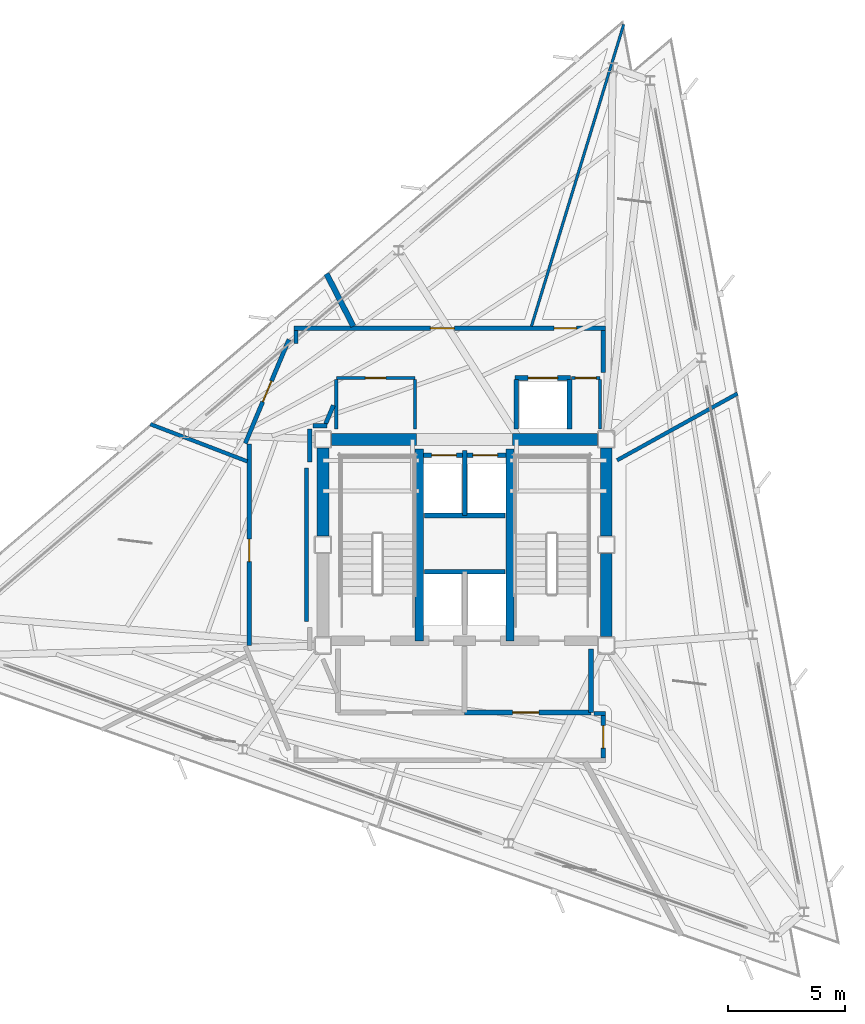
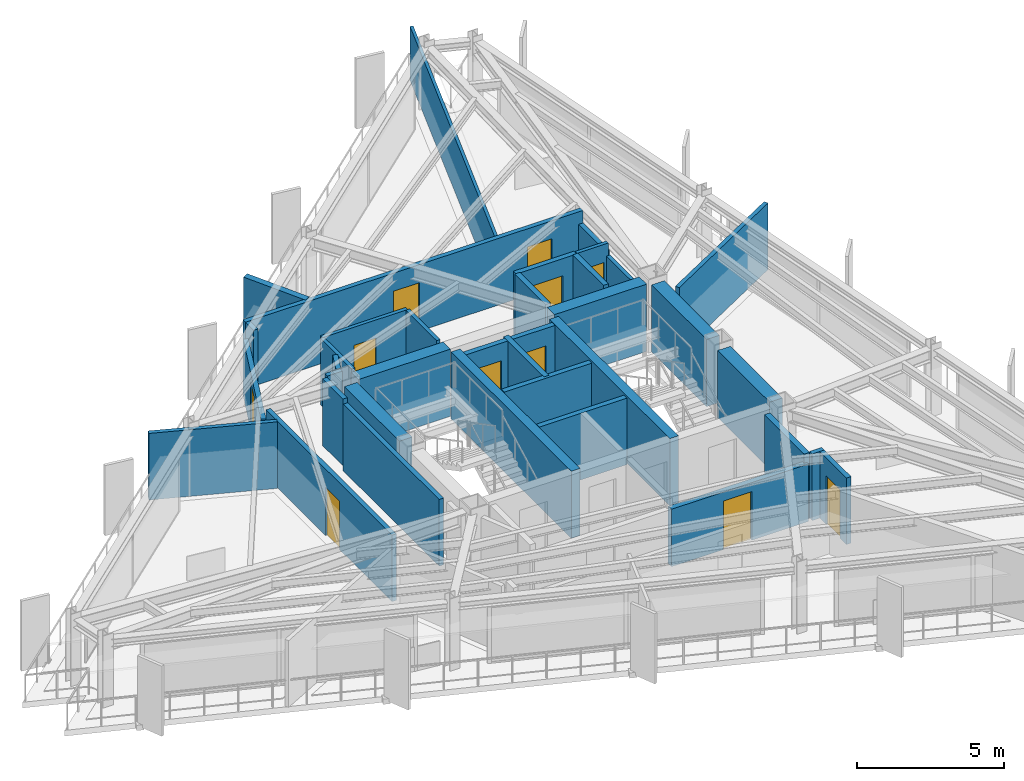
# One storey, part 9 of 14: 36 walls, 11 doors, 11 openings.
"""IFC4 building model written with IfcOpenShell, lengths in metres."""

from ifc_helpers import new_model, si_unit, direction, frame, frame_2d, origin, place, context, subcontext, project, spatial, rectangle, extrude, material, layer, layer_set, type_object, element, fill, save


model = new_model("IFC4")

# Units and contexts
model_context = context("Model", 3, precision=1e-05, world=origin(), true_north=direction((0.0, 1.0)))
body_context = subcontext(model_context, "Body", "Model", "MODEL_VIEW")
ifc_project = project(units=[si_unit("LENGTHUNIT", "METRE"), si_unit("AREAUNIT", "SQUARE_METRE"), si_unit("VOLUMEUNIT", "CUBIC_METRE"), si_unit("PLANEANGLEUNIT", "RADIAN"), si_unit("MASSUNIT", "GRAM", prefix="KILO")], contexts=[model_context])

# Site, building, storey
site_placement = place(None, origin())
site = spatial("IfcSite", under=ifc_project, at=site_placement, CompositionType="ELEMENT")
building_placement = place(site_placement, origin())
building = spatial("IfcBuilding", under=site, at=building_placement, Name="Rocaltana Carrier Exchange", CompositionType="ELEMENT")
storey_placement = place(building_placement, frame((0.0, 0.0, 178.39990234375)))
storey = spatial("IfcBuildingStorey", under=building, at=storey_placement, Name="L56", CompositionType="ELEMENT", Elevation=178.39990234375)

# Walls
ifc_material_1 = material(Name="Double Acoustic Gypsum Partition", Category="gypsum")
ifc_layer_1 = layer(ifc_material_1, 0.159912109375)
ifc_layer_set_1 = layer_set([ifc_layer_1], Name="Double Acoustic Gypsum Partition")
wall_type_1 = type_object("IfcWallType", Name="Acoustic Studio Partition 160 EI60", PredefinedType="PARTITIONING", material=ifc_layer_set_1)
wall_1_placement = place(storey_placement, frame((6.510009765625, 3.608642578125, 0.0), z_axis=(0.0, 0.0, 1.0), x_axis=(0.874634801292, 0.484782388675, 0.0)))
element("IfcWall", 1, at=wall_1_placement, inside=storey, type_object=wall_type_1, Name="L56 Suite Divider Wall D4", PredefinedType="PARTITIONING", context=body_context, shape_type="SweptSolid", body=[
    extrude(rectangle(XDim=5.879150390625, YDim=0.159912109375, at=frame_2d((2.939453125, 0.0))), origin(), (0.0, 0.0, 1.0), 2.773193359375),
])
wall_2_placement = place(storey_placement, frame((-9.280029296875, 3.562255859375, 0.0), z_axis=(0.0, 0.0, 1.0), x_axis=(-0.933582300371, 0.3583630679, 0.0)))
element("IfcWall", 2, at=wall_2_placement, inside=storey, type_object=wall_type_1, Name="L56 Suite Divider Wall D7", PredefinedType="PARTITIONING", context=body_context, shape_type="SweptSolid", body=[
    extrude(rectangle(XDim=4.435791015625, YDim=0.159912109375, at=frame_2d((2.2177734375, 0.0))), origin(), (0.0, 0.0, 1.0), 2.773193359375),
])
ifc_material_2 = material(Name="Concrete C50/60", Category="concrete")
ifc_layer_2 = layer(ifc_material_2, 0.35009765625)
ifc_layer_set_2 = layer_set([ifc_layer_2], Name="Concrete C50/60")
wall_type_2 = type_object("IfcWallType", Name="Core Internal Shear Wall 350", PredefinedType="SHEAR", material=ifc_layer_set_2)
for number, where, z_axis, x_axis, name in (
    (3, (-1.93994140625, -4.10009765625, 0.0), (0.0, 0.0, 1.0), (0.0, 1.0, 0.0), "L56 Core Shear Wall CW-STW"),
    (4, (1.93994140625, -4.10009765625, 0.0), (0.0, 0.0, 1.0), (0.0, 1.0, 0.0), "L56 Core Shear Wall CW-STE"),
):
    element("IfcWall", number, at=place(storey_placement, frame(where, z_axis=z_axis, x_axis=x_axis)), inside=storey, type_object=wall_type_2, Name=name, PredefinedType="SHEAR", context=body_context, shape_type="SweptSolid", body=[
        extrude(rectangle(XDim=8.2001953125, YDim=0.35009765625, at=frame_2d((4.10009765625, 0.0))), origin(), (0.0, 0.0, 1.0), 2.798095703125),
    ])
ifc_material_3 = material(Name="Concrete C50/60", Category="concrete")
ifc_layer_3 = layer(ifc_material_3, 0.5)
ifc_layer_set_3 = layer_set([ifc_layer_3], Name="Concrete C50/60")
wall_type_3 = type_object("IfcWallType", Name="Core Shear Wall 500", PredefinedType="SHEAR", material=ifc_layer_set_3)
for number, where, z_axis, x_axis, name in (
    (5, (-6.050048828125, 0.375, 0.0), (0.0, 0.0, 1.0), (0.0, 1.0, 0.0), "L56 Core Shear Wall CW-WN"),
    (6, (6.050048828125, 0.375, 0.0), (0.0, 0.0, 1.0), (0.0, 1.0, 0.0), "L56 Core Shear Wall CW-EN"),
):
    element("IfcWall", number, at=place(storey_placement, frame(where, z_axis=z_axis, x_axis=x_axis)), inside=storey, type_object=wall_type_3, Name=name, PredefinedType="SHEAR", context=body_context, shape_type="SweptSolid", body=[
        extrude(rectangle(XDim=3.75, YDim=0.5, at=frame_2d((1.875, 0.0))), origin(), (0.0, 0.0, 1.0), 2.798095703125),
    ])
wall_3_placement = place(storey_placement, frame((6.050048828125, -3.925048828125, 0.0), z_axis=(0.0, 0.0, 1.0), x_axis=(0.0, 1.0, 0.0)))
element("IfcWall", 7, at=wall_3_placement, inside=storey, type_object=wall_type_3, Name="L56 Core Shear Wall CW-ES", PredefinedType="SHEAR", context=body_context, shape_type="SweptSolid", body=[
    extrude(rectangle(XDim=3.550048828125, YDim=0.5, at=frame_2d((1.77490234375, 0.0))), origin(), (0.0, 0.0, 1.0), 2.798095703125),
])
for number, where, z_axis, x_axis, name in (
    (8, (-5.675048828125, 4.5, 0.0), (0.0, 0.0, 1.0), (1.0, 0.0, 0.0), "L56 Core Shear Wall CW-N1"),
    (9, (2.050048828125, 4.5, 0.0), (0.0, 0.0, 1.0), (1.0, 0.0, 0.0), "L56 Core Shear Wall CW-N2"),
):
    element("IfcWall", number, at=place(storey_placement, frame(where, z_axis=z_axis, x_axis=x_axis)), inside=storey, type_object=wall_type_3, Name=name, PredefinedType="SHEAR", context=body_context, shape_type="SweptSolid", body=[
        extrude(rectangle(XDim=3.625, YDim=0.5, at=frame_2d((1.8125, 0.0))), origin(), (0.0, 0.0, 1.0), 2.798095703125),
    ])

# Wall, opening, door
ifc_material_4 = material(Name="Gypsum & Steel Stud Partition", Category="steel")
ifc_layer_4 = layer(ifc_material_4, 0.179931640625)
ifc_layer_set_4 = layer_set([ifc_layer_4], Name="Gypsum & Steel Stud Partition")
wall_type_4 = type_object("IfcWallType", Name="Corridor Fire Partition 180 EI60", PredefinedType="PARTITIONING", material=ifc_layer_set_4)
wall_4_placement = place(storey_placement, frame((-9.199951171875, -4.303466796875, 0.0), z_axis=(0.0, 0.0, 1.0), x_axis=(0.0, 1.0, 0.0)))
wall_4 = element("IfcWall", 10, at=wall_4_placement, inside=storey, type_object=wall_type_4, Name="L56 Corridor Partition 2", PredefinedType="PARTITIONING", context=body_context, shape_type="SweptSolid", body=[
    extrude(rectangle(XDim=8.60693359375, YDim=0.179931640625, at=frame_2d((4.303466796875, 0.0))), origin(), (0.0, 0.0, 1.0), 2.773193359375),
])
opening_1_placement = place(wall_4_placement, frame((3.58203125, 0.0, 0.0)))
opening_1 = element("IfcOpeningElement", 11, at=opening_1_placement, cuts=wall_4, Name="Opening D-RM098", PredefinedType="OPENING", context=body_context, shape_type="SweptSolid", body=[
    extrude(rectangle(XDim=0.9599609375, YDim=2.02001953125, at=frame_2d((0.47998046875, 1.010009765625))), frame((0.0, 0.099853515625, 0.0), z_axis=(0.0, -1.0, 0.0), x_axis=(1.0, 0.0, 0.0)), (0.0, 0.0, 1.0), 0.199951171875),
])
ifc_material_5 = material(Name="Engineered Hardwood Timber", Category="wood")
door_type_1 = type_object("IfcDoorType", Name="Workspace Single Door 960x2020", OperationType="NOTDEFINED", PredefinedType="DOOR", material=ifc_material_5)
door_1_placement = place(opening_1_placement, origin())
door_1 = element("IfcDoor", 12, at=door_1_placement, inside=storey, type_object=door_type_1, Name="L56 Client Reception Foyer Entrance Door", OperationType="SINGLE_SWING_LEFT", OverallHeight=2.02001953125, OverallWidth=0.9599609375, PredefinedType="DOOR", context=body_context, shape_type="SweptSolid", body=[
    extrude(rectangle(XDim=0.9599609375, YDim=2.02001953125, at=frame_2d((0.47998046875, 1.010009765625))), frame((0.0, 0.02490234375, 0.0), z_axis=(0.0, -1.0, 0.0), x_axis=(1.0, 0.0, 0.0)), (0.0, 0.0, 1.0), 0.050048828125),
])
fill(opening_1, door_1)

wall_5_placement = place(storey_placement, frame((-9.36669921875, 4.331787109375, 0.0), z_axis=(0.0, 0.0, 1.0), x_axis=(0.387573945081, 0.921838617706, 0.0)))
wall_5 = element("IfcWall", 13, at=wall_5_placement, inside=storey, type_object=wall_type_4, Name="L56 Corridor Partition 3", PredefinedType="PARTITIONING", context=body_context, shape_type="SweptSolid", body=[
    extrude(rectangle(XDim=4.813232421875, YDim=0.179931640625, at=frame_2d((2.40673828125, 0.0))), origin(), (0.0, 0.0, 1.0), 2.39501953125),
])
opening_2_placement = place(wall_5_placement, frame((1.926513671875, 0.0, 0.0)))
opening_2 = element("IfcOpeningElement", 14, at=opening_2_placement, cuts=wall_5, Name="Opening D-RM098", PredefinedType="OPENING", context=body_context, shape_type="SweptSolid", body=[
    extrude(rectangle(XDim=0.9599609375, YDim=2.02001953125, at=frame_2d((0.47998046875, 1.010009765625))), frame((0.0, 0.099853515625, 0.0), z_axis=(0.0, -1.0, 0.0), x_axis=(1.0, 0.0, 0.0)), (0.0, 0.0, 1.0), 0.199951171875),
])
door_2_placement = place(opening_2_placement, origin())
door_2 = element("IfcDoor", 15, at=door_2_placement, inside=storey, type_object=door_type_1, Name="L56 Client Reception Foyer Entrance Door", OperationType="SINGLE_SWING_LEFT", OverallHeight=2.02001953125, OverallWidth=0.9599609375, PredefinedType="DOOR", context=body_context, shape_type="SweptSolid", body=[
    extrude(rectangle(XDim=0.9599609375, YDim=2.02001953125, at=frame_2d((0.47998046875, 1.010009765625))), frame((0.0, 0.02490234375, 0.0), z_axis=(0.0, -1.0, 0.0), x_axis=(1.0, 0.0, 0.0)), (0.0, 0.0, 1.0), 0.050048828125),
])
fill(opening_2, door_2)

# Wall
wall_6_placement = place(storey_placement, frame((-7.199951171875, 8.6005859375, 0.0), z_axis=(0.0, 0.0, 1.0), x_axis=(0.0, 1.0, 0.0)))
element("IfcWall", 16, at=wall_6_placement, inside=storey, type_object=wall_type_4, Name="L56 Corridor Partition 4", PredefinedType="PARTITIONING", context=body_context, shape_type="SweptSolid", body=[
    extrude(rectangle(XDim=0.559326171875, YDim=0.179931640625, at=frame_2d((0.27978515625, 0.0))), origin(), (0.0, 0.0, 1.0), 2.773193359375),
])

# Wall, openings, doors
wall_7_placement = place(storey_placement, frame((-7.2900390625, 9.25, 0.0), z_axis=(0.0, 0.0, 1.0), x_axis=(1.0, 0.0, 0.0)))
wall_7 = element("IfcWall", 17, at=wall_7_placement, inside=storey, type_object=wall_type_4, Name="L56 Corridor Partition 5", PredefinedType="PARTITIONING", context=body_context, shape_type="SweptSolid", body=[
    extrude(rectangle(XDim=13.300048828125, YDim=0.179931640625, at=frame_2d((6.64990234375, 0.0))), origin(), (0.0, 0.0, 1.0), 2.773193359375),
])
opening_3_placement = place(wall_7_placement, frame((11.11279296875, 0.0, 0.0)))
opening_3 = element("IfcOpeningElement", 18, at=opening_3_placement, cuts=wall_7, Name="Opening D-RM098", PredefinedType="OPENING", context=body_context, shape_type="SweptSolid", body=[
    extrude(rectangle(XDim=0.9599609375, YDim=2.02001953125, at=frame_2d((0.47998046875, 1.010009765625))), frame((0.0, 0.099853515625, 0.0), z_axis=(0.0, -1.0, 0.0), x_axis=(1.0, 0.0, 0.0)), (0.0, 0.0, 1.0), 0.199951171875),
])
opening_4_placement = place(wall_7_placement, frame((5.8271484375, 0.0, 0.0)))
opening_4 = element("IfcOpeningElement", 19, at=opening_4_placement, cuts=wall_7, Name="Opening D-LB104", PredefinedType="OPENING", context=body_context, shape_type="SweptSolid", body=[
    extrude(rectangle(XDim=1.02001953125, YDim=2.02001953125, at=frame_2d((0.510009765625, 1.010009765625))), frame((0.0, 0.099853515625, 0.0), z_axis=(0.0, -1.0, 0.0), x_axis=(1.0, 0.0, 0.0)), (0.0, 0.0, 1.0), 0.199951171875),
])
ifc_material_6 = material(Name="Powder-Coated Aluminium 6063-T6", Category="aluminium")
door_type_2 = type_object("IfcDoorType", Name="Laboratory Acoustic Door 1020x2020", OperationType="NOTDEFINED", PredefinedType="DOOR", material=ifc_material_6)
door_3_placement = place(opening_4_placement, origin())
door_3 = element("IfcDoor", 20, at=door_3_placement, inside=storey, type_object=door_type_2, Name="L56 Optical Switching Laboratory Entrance Door", OperationType="SINGLE_SWING_RIGHT", OverallHeight=2.02001953125, OverallWidth=1.02001953125, PredefinedType="DOOR", context=body_context, shape_type="SweptSolid", body=[
    extrude(rectangle(XDim=1.02001953125, YDim=2.02001953125, at=frame_2d((0.510009765625, 1.010009765625))), frame((0.0, 0.02490234375, 0.0), z_axis=(0.0, -1.0, 0.0), x_axis=(1.0, 0.0, 0.0)), (0.0, 0.0, 1.0), 0.050048828125),
])
fill(opening_4, door_3)
door_4_placement = place(opening_3_placement, origin())
door_4 = element("IfcDoor", 21, at=door_4_placement, inside=storey, type_object=door_type_1, Name="L56 Peering Conference Room Entrance Door", OperationType="SINGLE_SWING_LEFT", OverallHeight=2.02001953125, OverallWidth=0.9599609375, PredefinedType="DOOR", context=body_context, shape_type="SweptSolid", body=[
    extrude(rectangle(XDim=0.9599609375, YDim=2.02001953125, at=frame_2d((0.47998046875, 1.010009765625))), frame((0.0, 0.02490234375, 0.0), z_axis=(0.0, -1.0, 0.0), x_axis=(1.0, 0.0, 0.0)), (0.0, 0.0, 1.0), 0.050048828125),
])
fill(opening_3, door_4)

# Walls
wall_8_placement = place(storey_placement, frame((5.919921875, 9.159912109375, 0.0), z_axis=(0.0, 0.0, 1.0), x_axis=(0.0, -1.0, 0.0)))
element("IfcWall", 22, at=wall_8_placement, inside=storey, type_object=wall_type_4, Name="L56 Corridor Partition 6", PredefinedType="PARTITIONING", context=body_context, shape_type="SweptSolid", body=[
    extrude(rectangle(XDim=1.7998046875, YDim=0.179931640625, at=frame_2d((0.89990234375, 0.0))), origin(), (0.0, 0.0, 1.0), 2.253173828125),
])
wall_9_placement = place(storey_placement, frame((-5.602294921875, 5.9580078125, 0.0), z_axis=(0.0, 0.0, 1.0), x_axis=(-0.387588639363, -0.921832439566, 0.0)))
element("IfcWall", 23, at=wall_9_placement, inside=storey, type_object=wall_type_4, Name="L56 Corridor Partition 8", PredefinedType="PARTITIONING", context=body_context, shape_type="SweptSolid", body=[
    extrude(rectangle(XDim=0.8623046875, YDim=0.179931640625, at=frame_2d((0.43115234375, 0.0))), origin(), (0.0, 0.0, 1.0), 2.773193359375),
])
wall_10_placement = place(storey_placement, frame((-5.88134765625, 5.080078125, 0.0), z_axis=(0.0, 0.0, 1.0), x_axis=(-1.0, 0.0, 0.0)))
element("IfcWall", 24, at=wall_10_placement, inside=storey, type_object=wall_type_4, Name="L56 Corridor Partition 9", PredefinedType="PARTITIONING", context=body_context, shape_type="SweptSolid", body=[
    extrude(rectangle(XDim=0.588623046875, YDim=0.179931640625, at=frame_2d((0.29443359375, 0.0))), origin(), (0.0, 0.0, 1.0), 2.773193359375),
])
wall_11_placement = place(storey_placement, frame((-6.610107421875, 4.93994140625, 0.0), z_axis=(0.0, 0.0, 1.0), x_axis=(0.0, -1.0, 0.0)))
element("IfcWall", 25, at=wall_11_placement, inside=storey, type_object=wall_type_4, Name="L56 Corridor Partition 10", PredefinedType="PARTITIONING", context=body_context, shape_type="SweptSolid", body=[
    extrude(rectangle(XDim=1.398681640625, YDim=0.179931640625, at=frame_2d((0.69921875, 0.0))), origin(), (0.0, 0.0, 1.0), 2.773193359375),
])
wall_12_placement = place(storey_placement, frame((-6.75, 3.2734375, 0.0), z_axis=(0.0, 0.0, 1.0), x_axis=(0.0, -1.0, 0.0)))
element("IfcWall", 26, at=wall_12_placement, inside=storey, type_object=wall_type_4, Name="L56 Corridor Partition 11", PredefinedType="PARTITIONING", context=body_context, shape_type="SweptSolid", body=[
    extrude(rectangle(XDim=6.546875, YDim=0.179931640625, at=frame_2d((3.2734375, 0.0))), origin(), (0.0, 0.0, 1.0), 2.773193359375),
])
wall_13_placement = place(storey_placement, frame((5.530029296875, -7.199951171875, 0.0), z_axis=(0.0, 0.0, 1.0), x_axis=(1.0, 0.0, 0.0)))
element("IfcWall", 27, at=wall_13_placement, inside=storey, type_object=wall_type_4, Name="L56 Corridor Partition 14", PredefinedType="PARTITIONING", context=body_context, shape_type="SweptSolid", body=[
    extrude(rectangle(XDim=0.47998046875, YDim=0.179931640625, at=frame_2d((0.239990234375, 0.0))), origin(), (0.0, 0.0, 1.0), 2.773193359375),
])

# Wall, opening, door
wall_14_placement = place(storey_placement, frame((5.919921875, -7.2900390625, 0.0), z_axis=(0.0, 0.0, 1.0), x_axis=(0.0, -1.0, 0.0)))
wall_14 = element("IfcWall", 28, at=wall_14_placement, inside=storey, type_object=wall_type_4, Name="L56 Corridor Partition 15", PredefinedType="PARTITIONING", context=body_context, shape_type="SweptSolid", body=[
    extrude(rectangle(XDim=1.820068359375, YDim=0.179931640625, at=frame_2d((0.91015625, 0.0))), origin(), (0.0, 0.0, 1.0), 2.773193359375),
])
opening_5_placement = place(wall_14_placement, frame((0.429931640625, 0.0, 0.0)))
opening_5 = element("IfcOpeningElement", 29, at=opening_5_placement, cuts=wall_14, Name="Opening D-RM098", PredefinedType="OPENING", context=body_context, shape_type="SweptSolid", body=[
    extrude(rectangle(XDim=0.9599609375, YDim=2.02001953125, at=frame_2d((0.47998046875, 1.010009765625))), frame((0.0, 0.099853515625, 0.0), z_axis=(0.0, -1.0, 0.0), x_axis=(1.0, 0.0, 0.0)), (0.0, 0.0, 1.0), 0.199951171875),
])
door_5_placement = place(opening_5_placement, origin())
door_5 = element("IfcDoor", 30, at=door_5_placement, inside=storey, type_object=door_type_1, Name="L56 Cloud Architecture Office Entrance Door", OperationType="SINGLE_SWING_RIGHT", OverallHeight=2.02001953125, OverallWidth=0.9599609375, PredefinedType="DOOR", context=body_context, shape_type="SweptSolid", body=[
    extrude(rectangle(XDim=0.9599609375, YDim=2.02001953125, at=frame_2d((0.47998046875, 1.010009765625))), frame((0.0, 0.02490234375, 0.0), z_axis=(0.0, -1.0, 0.0), x_axis=(1.0, 0.0, 0.0)), (0.0, 0.0, 1.0), 0.050048828125),
])
fill(opening_5, door_5)

# Walls
ifc_material_7 = material(Name="Aluminium 6063-T6 & Acoustic Glass", Category="aluminium")
ifc_layer_5 = layer(ifc_material_7, 0.114990234375)
ifc_layer_set_5 = layer_set([ifc_layer_5], Name="Aluminium 6063-T6 & Acoustic Glass")
wall_type_5 = type_object("IfcWallType", Name="Demountable Glazed Lab Partition 115", PredefinedType="MOVABLE", material=ifc_layer_set_5)
wall_15_placement = place(storey_placement, frame((2.8525390625, 9.330078125, 0.0), z_axis=(0.0, 0.0, 1.0), x_axis=(0.292365790083, 0.95630656423, 0.0)))
element("IfcWall", 31, at=wall_15_placement, inside=storey, type_object=wall_type_5, Name="L56 Suite Divider Wall D5", PredefinedType="MOVABLE", context=body_context, shape_type="SweptSolid", body=[
    extrude(rectangle(XDim=13.478515625, YDim=0.114990234375, at=frame_2d((6.7392578125, 0.0))), origin(), (0.0, 0.0, 1.0), 2.253173828125),
])
ifc_material_8 = material(Name="Autoclaved Aerated Concrete C30/37", Category="concrete")
ifc_layer_6 = layer(ifc_material_8, 0.219970703125)
ifc_layer_set_6 = layer_set([ifc_layer_6], Name="Autoclaved Aerated Concrete C30/37")
wall_type_6 = type_object("IfcWallType", Name="Firefighting Lobby Wall 220 EI120", PredefinedType="PARTITIONING", material=ifc_layer_set_6)
wall_16_placement = place(storey_placement, frame((5.39990234375, -7.159912109375, 0.0), z_axis=(0.0, 0.0, 1.0), x_axis=(0.0, 1.0, 0.0)))
element("IfcWall", 32, at=wall_16_placement, inside=storey, type_object=wall_type_6, Name="L56 FFL Lobby 2 East Wall", PredefinedType="PARTITIONING", context=body_context, shape_type="SweptSolid", body=[
    extrude(rectangle(XDim=2.7099609375, YDim=0.219970703125, at=frame_2d((1.35498046875, 0.0))), origin(), (0.0, 0.0, 1.0), 2.773193359375),
])

# Wall, opening, door
wall_17_placement = place(storey_placement, frame((0.0, -7.159912109375, 0.0), z_axis=(0.0, 0.0, 1.0), x_axis=(1.0, 0.0, 0.0)))
wall_17 = element("IfcWall", 33, at=wall_17_placement, inside=storey, type_object=wall_type_6, Name="L56 FFL Lobby 2 South Wall", PredefinedType="PARTITIONING", context=body_context, shape_type="SweptSolid", body=[
    extrude(rectangle(XDim=5.39990234375, YDim=0.219970703125, at=frame_2d((2.699951171875, 0.0))), origin(), (0.0, 0.0, 1.0), 2.39501953125),
])
opening_6_placement = place(wall_17_placement, frame((2.050048828125, 0.0, 0.0)))
opening_6 = element("IfcOpeningElement", 34, at=opening_6_placement, cuts=wall_17, Name="Opening D-FF115", PredefinedType="OPENING", context=body_context, shape_type="SweptSolid", body=[
    extrude(rectangle(XDim=1.1201171875, YDim=2.02001953125, at=frame_2d((0.56005859375, 1.010009765625))), frame((0.0, 0.119873046875, 0.0), z_axis=(0.0, -1.0, 0.0), x_axis=(1.0, 0.0, 0.0)), (0.0, 0.0, 1.0), 0.239990234375),
])
ifc_material_9 = material(Name="Hollow Metal Fire Door Assembly", Category="steel")
door_type_3 = type_object("IfcDoorType", Name="Firefighting Lobby Door 1120x2020 FD60S", OperationType="NOTDEFINED", PredefinedType="DOOR", material=ifc_material_9)
door_6_placement = place(opening_6_placement, origin())
door_6 = element("IfcDoor", 35, at=door_6_placement, inside=storey, type_object=door_type_3, Name="L56 Firefighting Lift Lobby 2 Door", OperationType="SINGLE_SWING_RIGHT", OverallHeight=2.02001953125, OverallWidth=1.1201171875, PredefinedType="DOOR", context=body_context, shape_type="SweptSolid", body=[
    extrude(rectangle(XDim=1.1201171875, YDim=2.02001953125, at=frame_2d((0.56005859375, 1.010009765625))), frame((0.0, 0.02490234375, 0.0), z_axis=(0.0, -1.0, 0.0), x_axis=(1.0, 0.0, 0.0)), (0.0, 0.0, 1.0), 0.050048828125),
])
fill(opening_6, door_6)

# Walls
ifc_material_10 = material(Name="Acoustic Calcium Silicate Partition", Category="gypsum")
ifc_layer_7 = layer(ifc_material_10, 0.239990234375)
ifc_layer_set_7 = layer_set([ifc_layer_7], Name="Acoustic Calcium Silicate Partition")
wall_type_7 = type_object("IfcWallType", Name="Heavy Lab Partition 240 EI90", PredefinedType="PARTITIONING", material=ifc_layer_set_7)
wall_18_placement = place(storey_placement, frame((-4.75390625, 9.330078125, 0.0), z_axis=(0.0, 0.0, 1.0), x_axis=(-0.453977993214, 0.891012896471, 0.0)))
element("IfcWall", 36, at=wall_18_placement, inside=storey, type_object=wall_type_7, Name="L56 Suite Divider Wall D6", PredefinedType="PARTITIONING", context=body_context, shape_type="SweptSolid", body=[
    extrude(rectangle(XDim=2.521728515625, YDim=0.239990234375, at=frame_2d((1.2607421875, 0.0))), origin(), (0.0, 0.0, 1.0), 2.773193359375),
])
ifc_material_11 = material(Name="Reinforced Concrete Block C35/45", Category="concrete")
ifc_layer_8 = layer(ifc_material_11, 0.199951171875)
ifc_layer_set_8 = layer_set([ifc_layer_8], Name="Reinforced Concrete Block C35/45")
wall_type_8 = type_object("IfcWallType", Name="Lift Hoistway Enclosure Wall 200 EI120", PredefinedType="PARTITIONING", material=ifc_layer_set_8)
wall_19_placement = place(storey_placement, frame((-1.719970703125, -1.14990234375, 0.0), z_axis=(0.0, 0.0, 1.0), x_axis=(1.0, 0.0, 0.0)))
element("IfcWall", 37, at=wall_19_placement, inside=storey, type_object=wall_type_8, Name="L56 FFL Shaft Back Wall", PredefinedType="PARTITIONING", context=body_context, shape_type="SweptSolid", body=[
    extrude(rectangle(XDim=3.43994140625, YDim=0.199951171875, at=frame_2d((1.719970703125, 0.0))), origin(), (0.0, 0.0, 1.0), 2.773193359375),
])
wall_20_placement = place(storey_placement, frame((0.0, 1.25, 0.0), z_axis=(0.0, 0.0, 1.0), x_axis=(0.0, 1.0, 0.0)))
element("IfcWall", 38, at=wall_20_placement, inside=storey, type_object=wall_type_8, Name="L56 High-Rise Shaft Divider", PredefinedType="PARTITIONING", context=body_context, shape_type="SweptSolid", body=[
    extrude(rectangle(XDim=2.77001953125, YDim=0.199951171875, at=frame_2d((1.385009765625, 0.0))), origin(), (0.0, 0.0, 1.0), 2.773193359375),
])
wall_21_placement = place(storey_placement, frame((-1.719970703125, 1.25, 0.0), z_axis=(0.0, 0.0, 1.0), x_axis=(1.0, 0.0, 0.0)))
element("IfcWall", 39, at=wall_21_placement, inside=storey, type_object=wall_type_8, Name="L56 High-Rise Shaft Back Wall", PredefinedType="PARTITIONING", context=body_context, shape_type="SweptSolid", body=[
    extrude(rectangle(XDim=3.43994140625, YDim=0.199951171875, at=frame_2d((1.719970703125, 0.0))), origin(), (0.0, 0.0, 1.0), 2.773193359375),
])

# Wall, openings, doors
wall_22_placement = place(storey_placement, frame((-1.760009765625, 3.820068359375, 0.0), z_axis=(0.0, 0.0, 1.0), x_axis=(1.0, 0.0, 0.0)))
wall_22 = element("IfcWall", 40, at=wall_22_placement, inside=storey, type_object=wall_type_8, Name="L56 High-Rise Lift Front Wall", PredefinedType="PARTITIONING", context=body_context, shape_type="SweptSolid", body=[
    extrude(rectangle(XDim=3.52001953125, YDim=0.199951171875, at=frame_2d((1.760009765625, 0.0))), origin(), (0.0, 0.0, 1.0), 2.773193359375),
])
opening_7_placement = place(wall_22_placement, frame((0.35009765625, 0.0, 0.0)))
opening_7 = element("IfcOpeningElement", 41, at=opening_7_placement, cuts=wall_22, Name="Opening LD-110", PredefinedType="OPENING", context=body_context, shape_type="SweptSolid", body=[
    extrude(rectangle(XDim=1.06005859375, YDim=2.0400390625, at=frame_2d((0.530029296875, 1.02001953125))), frame((0.0, 0.10986328125, 0.0), z_axis=(0.0, -1.0, 0.0), x_axis=(1.0, 0.0, 0.0)), (0.0, 0.0, 1.0), 0.219970703125),
])
opening_8_placement = place(wall_22_placement, frame((2.110107421875, 0.0, 0.0)))
opening_8 = element("IfcOpeningElement", 42, at=opening_8_placement, cuts=wall_22, Name="Opening LD-110", PredefinedType="OPENING", context=body_context, shape_type="SweptSolid", body=[
    extrude(rectangle(XDim=1.06005859375, YDim=2.0400390625, at=frame_2d((0.530029296875, 1.02001953125))), frame((0.0, 0.10986328125, 0.0), z_axis=(0.0, -1.0, 0.0), x_axis=(1.0, 0.0, 0.0)), (0.0, 0.0, 1.0), 0.219970703125),
])
ifc_material_12 = material(Name="Brushed Stainless Sliding Door Leaf", Category="steel")
door_type_4 = type_object("IfcDoorType", Name="Lift Landing Sliding Door 1060x2040", OperationType="NOTDEFINED", PredefinedType="DOOR", material=ifc_material_12)
door_7_placement = place(opening_7_placement, origin())
door_7 = element("IfcDoor", 43, at=door_7_placement, inside=storey, type_object=door_type_4, Name="L56 High-Rise Lift PLH1 Landing Door", OperationType="SLIDING_TO_LEFT", OverallHeight=2.0400390625, OverallWidth=1.06005859375, PredefinedType="DOOR", context=body_context, shape_type="SweptSolid", body=[
    extrude(rectangle(XDim=1.06005859375, YDim=2.0400390625, at=frame_2d((0.530029296875, 1.02001953125))), frame((0.0, 0.02490234375, 0.0), z_axis=(0.0, -1.0, 0.0), x_axis=(1.0, 0.0, 0.0)), (0.0, 0.0, 1.0), 0.050048828125),
])
fill(opening_7, door_7)
door_8_placement = place(opening_8_placement, origin())
door_8 = element("IfcDoor", 44, at=door_8_placement, inside=storey, type_object=door_type_4, Name="L56 High-Rise Lift PLH2 Landing Door", OperationType="SLIDING_TO_RIGHT", OverallHeight=2.0400390625, OverallWidth=1.06005859375, PredefinedType="DOOR", context=body_context, shape_type="SweptSolid", body=[
    extrude(rectangle(XDim=1.06005859375, YDim=2.0400390625, at=frame_2d((0.530029296875, 1.02001953125))), frame((0.0, 0.02490234375, 0.0), z_axis=(0.0, -1.0, 0.0), x_axis=(1.0, 0.0, 0.0)), (0.0, 0.0, 1.0), 0.050048828125),
])
fill(opening_8, door_8)

# Walls
for number, where, z_axis, x_axis, name in (
    (45, (2.199951171875, 4.949951171875, 0.0), (0.0, 0.0, 1.0), (0.0, 1.0, 0.0), "L56 Goods Lift West Wall"),
    (46, (4.47998046875, 4.949951171875, 0.0), (0.0, 0.0, 1.0), (0.0, 1.0, 0.0), "L56 Goods Lift East Wall"),
):
    element("IfcWall", number, at=place(storey_placement, frame(where, z_axis=z_axis, x_axis=x_axis)), inside=storey, type_object=wall_type_8, Name=name, PredefinedType="PARTITIONING", context=body_context, shape_type="SweptSolid", body=[
        extrude(rectangle(XDim=2.10009765625, YDim=0.199951171875, at=frame_2d((1.050048828125, 0.0))), origin(), (0.0, 0.0, 1.0), 2.773193359375),
    ])

# Wall, opening, door
wall_23_placement = place(storey_placement, frame((2.14990234375, 7.1201171875, 0.0), z_axis=(0.0, 0.0, 1.0), x_axis=(1.0, 0.0, 0.0)))
wall_23 = element("IfcWall", 47, at=wall_23_placement, inside=storey, type_object=wall_type_8, Name="L56 Goods Lift Front Wall", PredefinedType="PARTITIONING", context=body_context, shape_type="SweptSolid", body=[
    extrude(rectangle(XDim=2.380126953125, YDim=0.199951171875, at=frame_2d((1.18994140625, 0.0))), origin(), (0.0, 0.0, 1.0), 2.773193359375),
])
opening_9_placement = place(wall_23_placement, frame((0.56005859375, 0.0, 0.0)))
opening_9 = element("IfcOpeningElement", 48, at=opening_9_placement, cuts=wall_23, Name="Opening LD-130", PredefinedType="OPENING", context=body_context, shape_type="SweptSolid", body=[
    extrude(rectangle(XDim=1.260009765625, YDim=2.06005859375, at=frame_2d((0.6298828125, 1.030029296875))), frame((0.0, 0.10986328125, 0.0), z_axis=(0.0, -1.0, 0.0), x_axis=(1.0, 0.0, 0.0)), (0.0, 0.0, 1.0), 0.219970703125),
])
ifc_material_13 = material(Name="Brushed Stainless Sliding Door Leaf", Category="steel")
door_type_5 = type_object("IfcDoorType", Name="Goods Lift Landing Sliding Door 1260x2060", OperationType="NOTDEFINED", PredefinedType="DOOR", material=ifc_material_13)
door_9_placement = place(opening_9_placement, origin())
door_9 = element("IfcDoor", 49, at=door_9_placement, inside=storey, type_object=door_type_5, Name="L56 Goods Lift GL-1 Landing Door", OperationType="SLIDING_TO_LEFT", OverallHeight=2.06005859375, OverallWidth=1.260009765625, PredefinedType="DOOR", context=body_context, shape_type="SweptSolid", body=[
    extrude(rectangle(XDim=1.260009765625, YDim=2.06005859375, at=frame_2d((0.6298828125, 1.030029296875))), frame((0.0, 0.02490234375, 0.0), z_axis=(0.0, -1.0, 0.0), x_axis=(1.0, 0.0, 0.0)), (0.0, 0.0, 1.0), 0.050048828125),
])
fill(opening_9, door_9)

# Walls
ifc_material_14 = material(Name="Moisture-Resistant Masonry C30/37", Category="masonry")
ifc_layer_9 = layer(ifc_material_14, 0.139892578125)
ifc_layer_set_9 = layer_set([ifc_layer_9], Name="Moisture-Resistant Masonry C30/37")
wall_type_9 = type_object("IfcWallType", Name="Wet-Area Sanitary Partition 140", PredefinedType="PARTITIONING", material=ifc_layer_set_9)
for number, where, z_axis, x_axis, name in (
    (50, (-5.47998046875, 4.949951171875, 0.0), (0.0, 0.0, 1.0), (0.0, 1.0, 0.0), "L56 Sanitary West Wall"),
    (51, (-2.1201171875, 4.949951171875, 0.0), (0.0, 0.0, 1.0), (0.0, 1.0, 0.0), "L56 Sanitary East Wall"),
):
    element("IfcWall", number, at=place(storey_placement, frame(where, z_axis=z_axis, x_axis=x_axis)), inside=storey, type_object=wall_type_9, Name=name, PredefinedType="PARTITIONING", context=body_context, shape_type="SweptSolid", body=[
        extrude(rectangle(XDim=2.10009765625, YDim=0.139892578125, at=frame_2d((1.050048828125, 0.0))), origin(), (0.0, 0.0, 1.0), 2.773193359375),
    ])

# Wall, opening, door
wall_24_placement = place(storey_placement, frame((-5.47998046875, 7.1201171875, 0.0), z_axis=(0.0, 0.0, 1.0), x_axis=(1.0, 0.0, 0.0)))
wall_24 = element("IfcWall", 52, at=wall_24_placement, inside=storey, type_object=wall_type_9, Name="L56 Sanitary North Wall", PredefinedType="PARTITIONING", context=body_context, shape_type="SweptSolid", body=[
    extrude(rectangle(XDim=3.35986328125, YDim=0.139892578125, at=frame_2d((1.679931640625, 0.0))), origin(), (0.0, 0.0, 1.0), 2.773193359375),
])
opening_10_placement = place(wall_24_placement, frame((1.239990234375, 0.0, 0.0)))
opening_10 = element("IfcOpeningElement", 53, at=opening_10_placement, cuts=wall_24, Name="Opening D-WC090", PredefinedType="OPENING", context=body_context, shape_type="SweptSolid", body=[
    extrude(rectangle(XDim=0.8798828125, YDim=2.02001953125, at=frame_2d((0.43994140625, 1.010009765625))), frame((0.0, 0.079833984375, 0.0), z_axis=(0.0, -1.0, 0.0), x_axis=(1.0, 0.0, 0.0)), (0.0, 0.0, 1.0), 0.159912109375),
])
ifc_material_15 = material(Name="High-Pressure Laminate Timber", Category="wood")
door_type_6 = type_object("IfcDoorType", Name="Restroom & Accessible WC Door 880x2020", OperationType="NOTDEFINED", PredefinedType="DOOR", material=ifc_material_15)
door_10_placement = place(opening_10_placement, origin())
door_10 = element("IfcDoor", 54, at=door_10_placement, inside=storey, type_object=door_type_6, Name="L56 Accessible Toilet Door", OperationType="SINGLE_SWING_LEFT", OverallHeight=2.02001953125, OverallWidth=0.8798828125, PredefinedType="DOOR", context=body_context, shape_type="SweptSolid", body=[
    extrude(rectangle(XDim=0.8798828125, YDim=2.02001953125, at=frame_2d((0.43994140625, 1.010009765625))), frame((0.0, 0.02490234375, 0.0), z_axis=(0.0, -1.0, 0.0), x_axis=(1.0, 0.0, 0.0)), (0.0, 0.0, 1.0), 0.050048828125),
])
fill(opening_10, door_10)

# Wall
wall_25_placement = place(storey_placement, frame((5.780029296875, 4.949951171875, 0.0), z_axis=(0.0, 0.0, 1.0), x_axis=(0.0, 1.0, 0.0)))
element("IfcWall", 55, at=wall_25_placement, inside=storey, type_object=wall_type_9, Name="L56 Restroom East Wall", PredefinedType="PARTITIONING", context=body_context, shape_type="SweptSolid", body=[
    extrude(rectangle(XDim=2.10009765625, YDim=0.139892578125, at=frame_2d((1.050048828125, 0.0))), origin(), (0.0, 0.0, 1.0), 2.253173828125),
])

# Wall, opening, door
wall_26_placement = place(storey_placement, frame((4.56005859375, 7.1201171875, 0.0), z_axis=(0.0, 0.0, 1.0), x_axis=(1.0, 0.0, 0.0)))
wall_26 = element("IfcWall", 56, at=wall_26_placement, inside=storey, type_object=wall_type_9, Name="L56 Restroom North Wall", PredefinedType="PARTITIONING", context=body_context, shape_type="SweptSolid", body=[
    extrude(rectangle(XDim=1.219970703125, YDim=0.139892578125, at=frame_2d((0.60986328125, 0.0))), origin(), (0.0, 0.0, 1.0), 2.773193359375),
])
opening_11_placement = place(wall_26_placement, frame((0.169921875, 0.0, 0.0)))
opening_11 = element("IfcOpeningElement", 57, at=opening_11_placement, cuts=wall_26, Name="Opening D-WC090", PredefinedType="OPENING", context=body_context, shape_type="SweptSolid", body=[
    extrude(rectangle(XDim=0.8798828125, YDim=2.02001953125, at=frame_2d((0.43994140625, 1.010009765625))), frame((0.0, 0.079833984375, 0.0), z_axis=(0.0, -1.0, 0.0), x_axis=(1.0, 0.0, 0.0)), (0.0, 0.0, 1.0), 0.159912109375),
])
door_11_placement = place(opening_11_placement, origin())
door_11 = element("IfcDoor", 58, at=door_11_placement, inside=storey, type_object=door_type_6, Name="L56 Staff Restroom Door", OperationType="SINGLE_SWING_RIGHT", OverallHeight=2.02001953125, OverallWidth=0.8798828125, PredefinedType="DOOR", context=body_context, shape_type="SweptSolid", body=[
    extrude(rectangle(XDim=0.8798828125, YDim=2.02001953125, at=frame_2d((0.43994140625, 1.010009765625))), frame((0.0, 0.02490234375, 0.0), z_axis=(0.0, -1.0, 0.0), x_axis=(1.0, 0.0, 0.0)), (0.0, 0.0, 1.0), 0.050048828125),
])
fill(opening_11, door_11)

save(model, "model.ifc")
